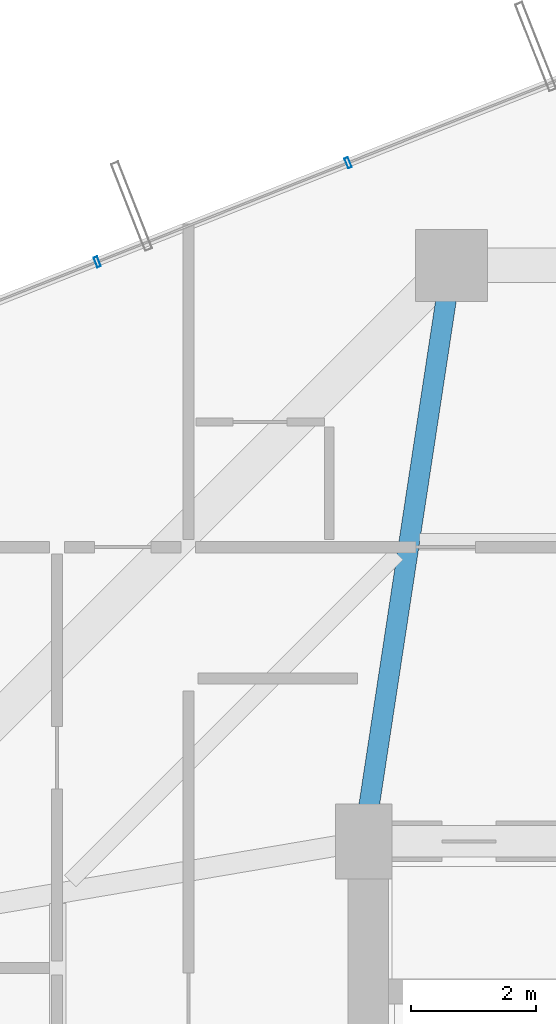
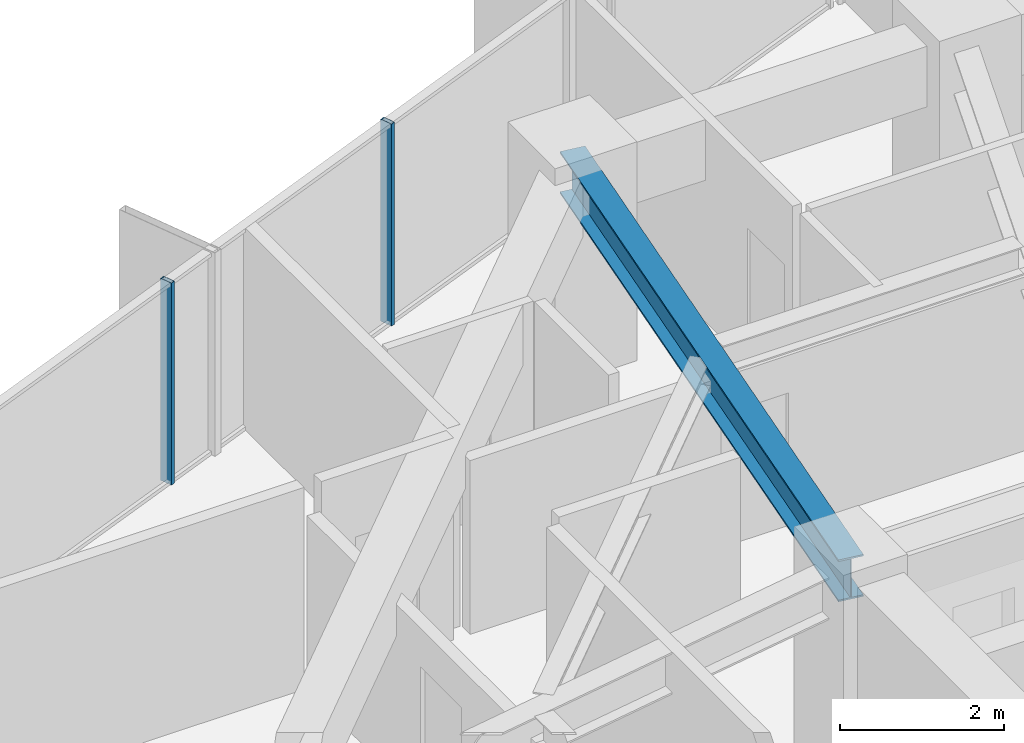
# One storey, part 19 of 29: 2 members, 1 beam, 1 element without a shape of its own.
"""IFC4 building model written with IfcOpenShell, lengths in metres."""

from ifc_helpers import new_model, si_unit, direction, frame, origin, origin_2d, place, context, subcontext, project, spatial, hollow_rectangle, i_section, extrude, source, transform, mapped, material, layer, layer_set, material_profile, profile_set, type_object, element, aggregate, save


model = new_model("IFC4")

# Units and contexts
model_context = context("Model", 3, precision=1e-05, world=origin(), true_north=direction((0.0, 1.0)))
body_context = subcontext(model_context, "Body", "Model", "MODEL_VIEW")
ifc_project = project(units=[si_unit("LENGTHUNIT", "METRE"), si_unit("AREAUNIT", "SQUARE_METRE"), si_unit("VOLUMEUNIT", "CUBIC_METRE"), si_unit("PLANEANGLEUNIT", "RADIAN"), si_unit("MASSUNIT", "GRAM", prefix="KILO")], contexts=[model_context])

# Site, building, storey
site_placement = place(None, origin())
site = spatial("IfcSite", under=ifc_project, at=site_placement, CompositionType="ELEMENT")
building_placement = place(site_placement, origin())
building = spatial("IfcBuilding", under=site, at=building_placement, Name="Veraguas Prism Commons", CompositionType="ELEMENT")
storey_placement = place(building_placement, frame((0.0, 0.0, 99.199951171875)))
storey = spatial("IfcBuildingStorey", under=building, at=storey_placement, Name="L27", CompositionType="ELEMENT", Elevation=99.199951171875)

# Beam
ifc_material_1 = material(Name="Steel ASTM A992 Grade 50", Category="steel")
ifc_material_profile_1 = material_profile(ifc_material_1, i_section(OverallWidth=0.327880859375, OverallDepth=0.6220703125, WebThickness=0.015380859375, FlangeThickness=0.0244140625, at=origin_2d()), Name="W610X195")
ifc_profile_set_1 = profile_set([ifc_material_profile_1], Name="Steel ASTM A992 Grade 50")
beam_type = type_object("IfcBeamType", Name="Zone 2 Radial Girder W610x195", PredefinedType="BEAM", material=ifc_profile_set_1)
beam_placement = place(storey_placement, frame((18.60009765625, 40.199951171875, 2.68896484375), z_axis=(-0.150458162136, -0.98861637729, 0.0), x_axis=(0.98861637729, -0.150458162136, 0.0)))
element("IfcBeam", 1, at=beam_placement, inside=storey, type_object=beam_type, Name="Radial Floor Girder L27-RD06", PredefinedType="BEAM", context=body_context, shape_type="SweptSolid", body=[
    extrude(i_section(OverallWidth=0.327880859375, OverallDepth=0.6220703125, WebThickness=0.015380859375, FlangeThickness=0.0244140625, at=origin_2d()), origin(), (0.0, 0.0, 1.0), 9.305908203125),
])

# Curtain wall, members
ifc_material_2 = material(Name="Anodised aluminium EN AW-6063 T6", Category="aluminium")
ifc_layer = layer(ifc_material_2, 0.169921875, Name="Unitised Flush Curtain Wall Zone 2", Category="aluminium")
ifc_layer_set = layer_set([ifc_layer], Name="Anodised aluminium EN AW-6063 T6")
curtain_wall_type = type_object("IfcCurtainWallType", Name="Unitised Flush Curtain Wall Zone 2", PredefinedType="NOTDEFINED", material=ifc_layer_set)
curtain_wall_placement = place(storey_placement, origin())
curtain_wall = element("IfcCurtainWall", 2, at=curtain_wall_placement, inside=storey, type_object=curtain_wall_type, Name="Tower Facade Curtain Wall L27-F2", PredefinedType="NOTDEFINED")
ifc_material_profile_2 = material_profile(ifc_material_2, hollow_rectangle(XDim=0.06005859375, YDim=0.169921875, WallThickness=0.00390625, at=origin_2d()), Name="AL60X170X4")
ifc_profile_set_2 = profile_set([ifc_material_profile_2], Name="Anodised aluminium EN AW-6063 T6")
member_type = type_object("IfcMemberType", Name="Curtain Wall Mullion Lower AL 60x170x4", PredefinedType="MULLION", material=ifc_profile_set_2)
shared_shape = source(origin(), body_context, "Body", "SweptSolid", [
    extrude(hollow_rectangle(XDim=0.06005859375, YDim=0.169921875, WallThickness=0.00390625, at=origin_2d()), origin(), (0.0, 0.0, 1.0), 3.0),
])
member_1_placement = place(storey_placement, frame((16.950927734375, 41.84033203125, 0.0), z_axis=(0.0, 0.0, 1.0), x_axis=(-0.93003197597, -0.367478603014, 0.0)))
member_1 = element("IfcMember", 3, at=member_1_placement, type_object=member_type, Name="CW-Z2 Mullion 3", PredefinedType="MULLION", context=body_context, shape_type="MappedRepresentation", body=[
    mapped(shared_shape, transform((0.0, 0.0, 0.0), scale=1.0)),
])
member_2_placement = place(storey_placement, frame((12.94384765625, 40.257080078125, 0.0), z_axis=(0.0, 0.0, 1.0), x_axis=(-0.93003197597, -0.367478603014, 0.0)))
member_2 = element("IfcMember", 4, at=member_2_placement, type_object=member_type, Name="CW-Z2 Mullion 4", PredefinedType="MULLION", context=body_context, shape_type="MappedRepresentation", body=[
    mapped(shared_shape, transform((0.0, 0.0, 0.0), scale=1.0)),
])
aggregate(curtain_wall, [member_1, member_2])

save(model, "model.ifc")
